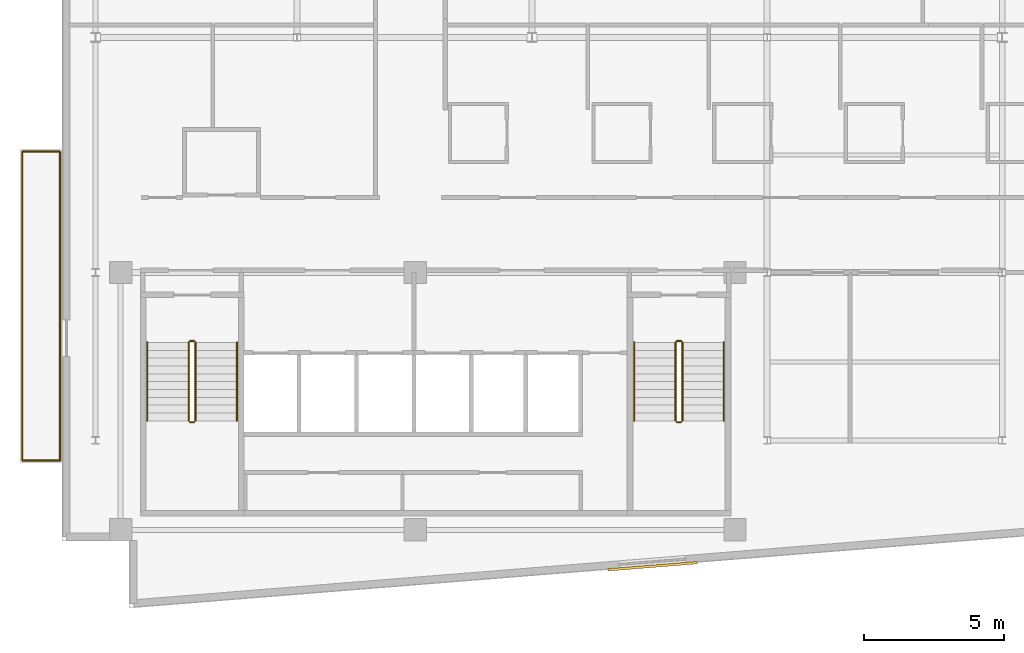
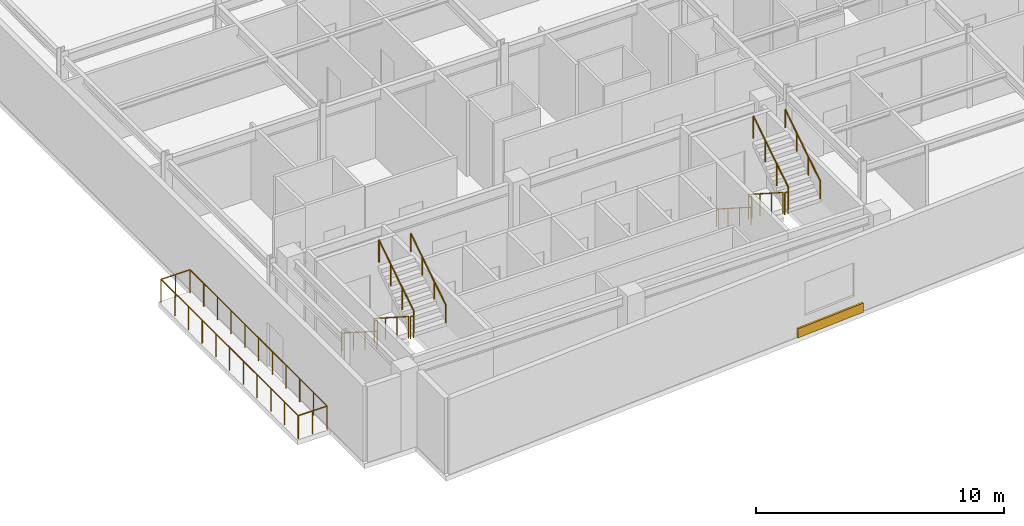
# One storey, part 14 of 16: 16 railings, 1 covering.
"""IFC4 building model written with IfcOpenShell, lengths in metres."""

from ifc_helpers import new_model, si_unit, direction, frame, origin, origin_2d, place, context, subcontext, project, spatial, rectangle, circle, extrude, material, layer, layer_set, type_object, element, save


model = new_model("IFC4")

# Units and contexts
model_context = context("Model", 3, precision=1e-05, world=origin(), true_north=direction((0.0, 1.0)))
body_context = subcontext(model_context, "Body", "Model", "MODEL_VIEW")
ifc_project = project(units=[si_unit("LENGTHUNIT", "METRE"), si_unit("AREAUNIT", "SQUARE_METRE"), si_unit("VOLUMEUNIT", "CUBIC_METRE"), si_unit("PLANEANGLEUNIT", "RADIAN"), si_unit("MASSUNIT", "GRAM", prefix="KILO")], contexts=[model_context])

# Site, building, storey
site_placement = place(None, origin())
site = spatial("IfcSite", under=ifc_project, at=site_placement, CompositionType="ELEMENT")
building_placement = place(site_placement, origin())
building = spatial("IfcBuilding", under=site, at=building_placement, Name="Varnakote Quay Hospital", CompositionType="ELEMENT")
storey_placement = place(building_placement, frame((0.0, 0.0, 260.5)))
storey = spatial("IfcBuildingStorey", under=building, at=storey_placement, Name="L64", CompositionType="ELEMENT", Elevation=260.5)

# Covering
ifc_material_1 = material(Name="Kiln-fired red brick architectural cladding", Category="masonry")
ifc_layer = layer(ifc_material_1, 0.090087890625)
ifc_layer_set = layer_set([ifc_layer], Name="Kiln-fired red brick architectural cladding")
covering_type = type_object("IfcCoveringType", Name="COV-BRICK-CLAD-90", PredefinedType="CLADDING", material=ifc_layer_set)
covering_placement = place(storey_placement, frame((21.11279296875, 1.5009765625, 0.0), z_axis=(0.0, 0.0, 1.0), x_axis=(0.996792860627, 0.080024952375, 0.0)))
element("IfcCovering", 1, at=covering_placement, inside=storey, type_object=covering_type, Name="L64 Kiln-Brick Precast Spandrel Cladding Band", PredefinedType="CLADDING", context=body_context, shape_type="SweptSolid", body=[
    extrude(rectangle(XDim=3.199951171875, YDim=0.090087890625, at=origin_2d()), origin(), (0.0, 0.0, 1.0), 0.449951171875),
])

# Railings
ifc_material_2 = material(Name="Anodised aluminium 6063-T6 Bronze", Category="aluminium")
railing_type_1 = type_object("IfcRailingType", Name="RLG-EXT-GUARD-1150", PredefinedType="GUARDRAIL", material=ifc_material_2)
railing_1_placement = place(storey_placement, frame((-0.075927734375, 5.280029296875, 0.0)))
element("IfcRailing", 2, at=railing_1_placement, inside=storey, type_object=railing_type_1, Name="L64 Zigzag Prow Healing Terrace Safety Guard", PredefinedType="GUARDRAIL", context=body_context, shape_type="SweptSolid", body=[
    extrude(circle(Radius=0.02392578125, at=origin_2d()), frame((0.0, 0.0, 1.1259765625), z_axis=(-1.0, 0.0, 0.0), x_axis=(0.0, -1.0, 0.0)), (0.0, 0.0, 1.0), 1.343994140625),
    extrude(circle(Radius=0.02099609375, at=origin_2d()), origin(), (0.0, 0.0, 1.0), 1.101806640625),
    extrude(circle(Radius=0.02099609375, at=origin_2d()), frame((-0.671875, 0.0, 0.0)), (0.0, 0.0, 1.0), 1.101806640625),
    extrude(circle(Radius=0.02099609375, at=origin_2d()), frame((-1.343994140625, 0.0, 0.0)), (0.0, 0.0, 1.0), 1.101806640625),
])
railing_2_placement = place(storey_placement, frame((-1.419921875, 5.280029296875, 0.0)))
element("IfcRailing", 3, at=railing_2_placement, inside=storey, type_object=railing_type_1, Name="L64 Zigzag Prow Healing Terrace Safety Guard", PredefinedType="GUARDRAIL", context=body_context, shape_type="SweptSolid", body=[
    extrude(circle(Radius=0.02392578125, at=origin_2d()), frame((0.0, 0.0, 1.1259765625), z_axis=(0.0, 1.0, 0.0), x_axis=(-1.0, 0.0, 0.0)), (0.0, 0.0, 1.0), 11.0400390625),
    extrude(circle(Radius=0.02099609375, at=origin_2d()), origin(), (0.0, 0.0, 1.0), 1.101806640625),
    extrude(circle(Radius=0.02099609375, at=origin_2d()), frame((0.0, 1.10400390625, 0.0)), (0.0, 0.0, 1.0), 1.101806640625),
    extrude(circle(Radius=0.02099609375, at=origin_2d()), frame((0.0, 2.2080078125, 0.0)), (0.0, 0.0, 1.0), 1.101806640625),
    extrude(circle(Radius=0.02099609375, at=origin_2d()), frame((0.0, 3.31201171875, 0.0)), (0.0, 0.0, 1.0), 1.101806640625),
    extrude(circle(Radius=0.02099609375, at=origin_2d()), frame((0.0, 4.416015625, 0.0)), (0.0, 0.0, 1.0), 1.101806640625),
    extrude(circle(Radius=0.02099609375, at=origin_2d()), frame((0.0, 5.52001953125, 0.0)), (0.0, 0.0, 1.0), 1.101806640625),
    extrude(circle(Radius=0.02099609375, at=origin_2d()), frame((0.0, 6.6240234375, 0.0)), (0.0, 0.0, 1.0), 1.101806640625),
    extrude(circle(Radius=0.02099609375, at=origin_2d()), frame((0.0, 7.72802734375, 0.0)), (0.0, 0.0, 1.0), 1.101806640625),
    extrude(circle(Radius=0.02099609375, at=origin_2d()), frame((0.0, 8.83203125, 0.0)), (0.0, 0.0, 1.0), 1.101806640625),
    extrude(circle(Radius=0.02099609375, at=origin_2d()), frame((0.0, 9.93603515625, 0.0)), (0.0, 0.0, 1.0), 1.101806640625),
    extrude(circle(Radius=0.02099609375, at=origin_2d()), frame((0.0, 11.0400390625, 0.0)), (0.0, 0.0, 1.0), 1.101806640625),
])
railing_3_placement = place(storey_placement, frame((-1.419921875, 16.320068359375, 0.0)))
element("IfcRailing", 4, at=railing_3_placement, inside=storey, type_object=railing_type_1, Name="L64 Zigzag Prow Healing Terrace Safety Guard", PredefinedType="GUARDRAIL", context=body_context, shape_type="SweptSolid", body=[
    extrude(circle(Radius=0.02392578125, at=origin_2d()), frame((0.0, 0.0, 1.1259765625), z_axis=(1.0, 0.0, 0.0), x_axis=(0.0, 1.0, 0.0)), (0.0, 0.0, 1.0), 1.343994140625),
    extrude(circle(Radius=0.02099609375, at=origin_2d()), origin(), (0.0, 0.0, 1.0), 1.101806640625),
    extrude(circle(Radius=0.02099609375, at=origin_2d()), frame((0.671875, 0.0, 0.0)), (0.0, 0.0, 1.0), 1.101806640625),
    extrude(circle(Radius=0.02099609375, at=origin_2d()), frame((1.343994140625, 0.0, 0.0)), (0.0, 0.0, 1.0), 1.101806640625),
])
railing_4_placement = place(storey_placement, frame((-0.075927734375, 16.320068359375, 0.0)))
element("IfcRailing", 5, at=railing_4_placement, inside=storey, type_object=railing_type_1, Name="L64 Zigzag Prow Healing Terrace Safety Guard", PredefinedType="GUARDRAIL", context=body_context, shape_type="SweptSolid", body=[
    extrude(circle(Radius=0.02392578125, at=origin_2d()), frame((0.0, 0.0, 1.1259765625), z_axis=(0.0, -1.0, 0.0), x_axis=(1.0, 0.0, 0.0)), (0.0, 0.0, 1.0), 11.0400390625),
    extrude(circle(Radius=0.02099609375, at=origin_2d()), origin(), (0.0, 0.0, 1.0), 1.101806640625),
    extrude(circle(Radius=0.02099609375, at=origin_2d()), frame((0.0, -1.10400390625, 0.0)), (0.0, 0.0, 1.0), 1.101806640625),
    extrude(circle(Radius=0.02099609375, at=origin_2d()), frame((0.0, -2.2080078125, 0.0)), (0.0, 0.0, 1.0), 1.101806640625),
    extrude(circle(Radius=0.02099609375, at=origin_2d()), frame((0.0, -3.31201171875, 0.0)), (0.0, 0.0, 1.0), 1.101806640625),
    extrude(circle(Radius=0.02099609375, at=origin_2d()), frame((0.0, -4.416015625, 0.0)), (0.0, 0.0, 1.0), 1.101806640625),
    extrude(circle(Radius=0.02099609375, at=origin_2d()), frame((0.0, -5.52001953125, 0.0)), (0.0, 0.0, 1.0), 1.101806640625),
    extrude(circle(Radius=0.02099609375, at=origin_2d()), frame((0.0, -6.6240234375, 0.0)), (0.0, 0.0, 1.0), 1.101806640625),
    extrude(circle(Radius=0.02099609375, at=origin_2d()), frame((0.0, -7.72802734375, 0.0)), (0.0, 0.0, 1.0), 1.101806640625),
    extrude(circle(Radius=0.02099609375, at=origin_2d()), frame((0.0, -8.83203125, 0.0)), (0.0, 0.0, 1.0), 1.101806640625),
    extrude(circle(Radius=0.02099609375, at=origin_2d()), frame((0.0, -9.93603515625, 0.0)), (0.0, 0.0, 1.0), 1.101806640625),
    extrude(circle(Radius=0.02099609375, at=origin_2d()), frame((0.0, -11.0400390625, 0.0)), (0.0, 0.0, 1.0), 1.101806640625),
])
ifc_material_3 = material(Name="Brushed stainless steel balustrade", Category="steel")
railing_type_2 = type_object("IfcRailingType", Name="RLG-STAIR-GUARD-1150", PredefinedType="GUARDRAIL", material=ifc_material_3)
railing_5_placement = place(storey_placement, frame((4.530029296875, 9.5, 0.179443359375)))
element("IfcRailing", 6, at=railing_5_placement, inside=storey, type_object=railing_type_2, Name="L64 ST-01 stair guard 1", PredefinedType="GUARDRAIL", context=body_context, shape_type="SweptSolid", body=[
    extrude(circle(Radius=0.02392578125, at=origin_2d()), frame((0.0, 0.0, 1.076171875), z_axis=(0.0, -0.841776520102, 0.539826166654), x_axis=(1.0, 0.0, 0.0)), (0.0, 0.0, 1.0), 3.326416015625),
    extrude(circle(Radius=0.02099609375, at=origin_2d()), origin(), (0.0, 0.0, 1.0), 1.052001953125),
    extrude(circle(Radius=0.02099609375, at=origin_2d()), frame((0.0, -0.933349609375, 0.5986328125)), (0.0, 0.0, 1.0), 1.052001953125),
    extrude(circle(Radius=0.02099609375, at=origin_2d()), frame((0.0, -1.86669921875, 1.197021484375)), (0.0, 0.0, 1.0), 1.052001953125),
    extrude(circle(Radius=0.02099609375, at=origin_2d()), frame((0.0, -2.800048828125, 1.795654296875)), (0.0, 0.0, 1.0), 1.052001953125),
])
railing_6_placement = place(storey_placement, frame((4.580078125, 6.64990234375, 1.97509765625)))
element("IfcRailing", 7, at=railing_6_placement, inside=storey, type_object=railing_type_2, Name="L64 ST-01 stair guard 2", PredefinedType="GUARDRAIL", context=body_context, shape_type="SweptSolid", body=[
    extrude(circle(Radius=0.02392578125, at=origin_2d()), frame((0.0, 0.0, 1.076171875), z_axis=(1.0, 0.0, 0.0), x_axis=(0.0, 1.0, 0.0)), (0.0, 0.0, 1.0), 0.139892578125),
    extrude(circle(Radius=0.02099609375, at=origin_2d()), origin(), (0.0, 0.0, 1.0), 1.052001953125),
    extrude(circle(Radius=0.02099609375, at=origin_2d()), frame((0.139892578125, 0.0, 0.0)), (0.0, 0.0, 1.0), 1.052001953125),
])
railing_7_placement = place(storey_placement, frame((4.77001953125, 6.699951171875, 2.154541015625)))
element("IfcRailing", 8, at=railing_7_placement, inside=storey, type_object=railing_type_2, Name="L64 ST-01 stair guard 3", PredefinedType="GUARDRAIL", context=body_context, shape_type="SweptSolid", body=[
    extrude(circle(Radius=0.02392578125, at=origin_2d()), frame((0.0, 0.0, 1.076171875), z_axis=(0.0, 0.841809871826, 0.539774156196), x_axis=(-1.0, 0.0, 0.0)), (0.0, 0.0, 1.0), 3.326171875),
    extrude(circle(Radius=0.02099609375, at=origin_2d()), origin(), (0.0, 0.0, 1.0), 1.052001953125),
    extrude(circle(Radius=0.02099609375, at=origin_2d()), frame((0.0, 0.933349609375, 0.598388671875)), (0.0, 0.0, 1.0), 1.052001953125),
    extrude(circle(Radius=0.02099609375, at=origin_2d()), frame((0.0, 1.86669921875, 1.197021484375)), (0.0, 0.0, 1.0), 1.052001953125),
    extrude(circle(Radius=0.02099609375, at=origin_2d()), frame((0.0, 2.800048828125, 1.79541015625)), (0.0, 0.0, 1.0), 1.052001953125),
])
railing_8_placement = place(storey_placement, frame((4.580078125, 9.550048828125, 0.0)))
element("IfcRailing", 9, at=railing_8_placement, inside=storey, type_object=railing_type_2, Name="L64 ST-01 stair guard 4", PredefinedType="GUARDRAIL", context=body_context, shape_type="SweptSolid", body=[
    extrude(circle(Radius=0.02392578125, at=origin_2d()), frame((0.0, 0.0, 1.076171875), z_axis=(1.0, 0.0, 0.0), x_axis=(0.0, 1.0, 0.0)), (0.0, 0.0, 1.0), 0.139892578125),
    extrude(circle(Radius=0.02099609375, at=origin_2d()), origin(), (0.0, 0.0, 1.0), 1.052001953125),
    extrude(circle(Radius=0.02099609375, at=origin_2d()), frame((0.139892578125, 0.0, 0.0)), (0.0, 0.0, 1.0), 1.052001953125),
])
railing_9_placement = place(storey_placement, frame((21.929931640625, 9.5, 0.179443359375)))
element("IfcRailing", 10, at=railing_9_placement, inside=storey, type_object=railing_type_2, Name="L64 ST-02 stair guard 1", PredefinedType="GUARDRAIL", context=body_context, shape_type="SweptSolid", body=[
    extrude(circle(Radius=0.02392578125, at=origin_2d()), frame((0.0, 0.0, 1.076171875), z_axis=(0.0, -0.841776520102, 0.539826166654), x_axis=(1.0, 0.0, 0.0)), (0.0, 0.0, 1.0), 3.326416015625),
    extrude(circle(Radius=0.02099609375, at=origin_2d()), origin(), (0.0, 0.0, 1.0), 1.052001953125),
    extrude(circle(Radius=0.02099609375, at=origin_2d()), frame((0.0, -0.933349609375, 0.5986328125)), (0.0, 0.0, 1.0), 1.052001953125),
    extrude(circle(Radius=0.02099609375, at=origin_2d()), frame((0.0, -1.86669921875, 1.197021484375)), (0.0, 0.0, 1.0), 1.052001953125),
    extrude(circle(Radius=0.02099609375, at=origin_2d()), frame((0.0, -2.800048828125, 1.795654296875)), (0.0, 0.0, 1.0), 1.052001953125),
])
railing_10_placement = place(storey_placement, frame((21.97998046875, 6.64990234375, 1.97509765625)))
element("IfcRailing", 11, at=railing_10_placement, inside=storey, type_object=railing_type_2, Name="L64 ST-02 stair guard 2", PredefinedType="GUARDRAIL", context=body_context, shape_type="SweptSolid", body=[
    extrude(circle(Radius=0.02392578125, at=origin_2d()), frame((0.0, 0.0, 1.076171875), z_axis=(1.0, 0.0, 0.0), x_axis=(0.0, 1.0, 0.0)), (0.0, 0.0, 1.0), 0.14013671875),
    extrude(circle(Radius=0.02099609375, at=origin_2d()), origin(), (0.0, 0.0, 1.0), 1.052001953125),
    extrude(circle(Radius=0.02099609375, at=origin_2d()), frame((0.14013671875, 0.0, 0.0)), (0.0, 0.0, 1.0), 1.052001953125),
])
railing_11_placement = place(storey_placement, frame((22.169921875, 6.699951171875, 2.154541015625)))
element("IfcRailing", 12, at=railing_11_placement, inside=storey, type_object=railing_type_2, Name="L64 ST-02 stair guard 3", PredefinedType="GUARDRAIL", context=body_context, shape_type="SweptSolid", body=[
    extrude(circle(Radius=0.02392578125, at=origin_2d()), frame((0.0, 0.0, 1.076171875), z_axis=(0.0, 0.841809871826, 0.539774156196), x_axis=(-1.0, 0.0, 0.0)), (0.0, 0.0, 1.0), 3.326171875),
    extrude(circle(Radius=0.02099609375, at=origin_2d()), origin(), (0.0, 0.0, 1.0), 1.052001953125),
    extrude(circle(Radius=0.02099609375, at=origin_2d()), frame((0.0, 0.933349609375, 0.598388671875)), (0.0, 0.0, 1.0), 1.052001953125),
    extrude(circle(Radius=0.02099609375, at=origin_2d()), frame((0.0, 1.86669921875, 1.197021484375)), (0.0, 0.0, 1.0), 1.052001953125),
    extrude(circle(Radius=0.02099609375, at=origin_2d()), frame((0.0, 2.800048828125, 1.79541015625)), (0.0, 0.0, 1.0), 1.052001953125),
])
railing_12_placement = place(storey_placement, frame((21.97998046875, 9.550048828125, 0.0)))
element("IfcRailing", 13, at=railing_12_placement, inside=storey, type_object=railing_type_2, Name="L64 ST-02 stair guard 4", PredefinedType="GUARDRAIL", context=body_context, shape_type="SweptSolid", body=[
    extrude(circle(Radius=0.02392578125, at=origin_2d()), frame((0.0, 0.0, 1.076171875), z_axis=(1.0, 0.0, 0.0), x_axis=(0.0, 1.0, 0.0)), (0.0, 0.0, 1.0), 0.14013671875),
    extrude(circle(Radius=0.02099609375, at=origin_2d()), origin(), (0.0, 0.0, 1.0), 1.052001953125),
    extrude(circle(Radius=0.02099609375, at=origin_2d()), frame((0.14013671875, 0.0, 0.0)), (0.0, 0.0, 1.0), 1.052001953125),
])
ifc_material_4 = material(Name="Brushed stainless steel handrail", Category="steel")
railing_type_3 = type_object("IfcRailingType", Name="RLG-STAIR-HND-920", PredefinedType="HANDRAIL", material=ifc_material_4)
railing_13_placement = place(storey_placement, frame((3.050048828125, 9.5, 0.179443359375)))
element("IfcRailing", 14, at=railing_13_placement, inside=storey, type_object=railing_type_3, Name="L64 ST-01 stair handrail 1", PredefinedType="HANDRAIL", context=body_context, shape_type="SweptSolid", body=[
    extrude(circle(Radius=0.02392578125, at=origin_2d()), frame((0.0, 0.0, 0.8759765625), z_axis=(0.0, -0.841776520102, 0.539826166654), x_axis=(1.0, 0.0, 0.0)), (0.0, 0.0, 1.0), 3.326416015625),
    extrude(circle(Radius=0.02099609375, at=origin_2d()), origin(), (0.0, 0.0, 1.0), 0.851806640625),
    extrude(circle(Radius=0.02099609375, at=origin_2d()), frame((0.0, -0.933349609375, 0.5986328125)), (0.0, 0.0, 1.0), 0.851806640625),
    extrude(circle(Radius=0.02099609375, at=origin_2d()), frame((0.0, -1.86669921875, 1.197021484375)), (0.0, 0.0, 1.0), 0.851806640625),
    extrude(circle(Radius=0.02099609375, at=origin_2d()), frame((0.0, -2.800048828125, 1.795654296875)), (0.0, 0.0, 1.0), 0.851806640625),
])
railing_14_placement = place(storey_placement, frame((6.25, 6.699951171875, 2.154541015625)))
element("IfcRailing", 15, at=railing_14_placement, inside=storey, type_object=railing_type_3, Name="L64 ST-01 stair handrail 2", PredefinedType="HANDRAIL", context=body_context, shape_type="SweptSolid", body=[
    extrude(circle(Radius=0.02392578125, at=origin_2d()), frame((0.0, 0.0, 0.8759765625), z_axis=(0.0, 0.841809871826, 0.539774156196), x_axis=(-1.0, 0.0, 0.0)), (0.0, 0.0, 1.0), 3.326171875),
    extrude(circle(Radius=0.02099609375, at=origin_2d()), origin(), (0.0, 0.0, 1.0), 0.851806640625),
    extrude(circle(Radius=0.02099609375, at=origin_2d()), frame((0.0, 0.933349609375, 0.598388671875)), (0.0, 0.0, 1.0), 0.851806640625),
    extrude(circle(Radius=0.02099609375, at=origin_2d()), frame((0.0, 1.86669921875, 1.197021484375)), (0.0, 0.0, 1.0), 0.851806640625),
    extrude(circle(Radius=0.02099609375, at=origin_2d()), frame((0.0, 2.800048828125, 1.79541015625)), (0.0, 0.0, 1.0), 0.851806640625),
])
railing_15_placement = place(storey_placement, frame((20.449951171875, 9.5, 0.179443359375)))
element("IfcRailing", 16, at=railing_15_placement, inside=storey, type_object=railing_type_3, Name="L64 ST-02 stair handrail 1", PredefinedType="HANDRAIL", context=body_context, shape_type="SweptSolid", body=[
    extrude(circle(Radius=0.02392578125, at=origin_2d()), frame((0.0, 0.0, 0.8759765625), z_axis=(0.0, -0.841776520102, 0.539826166654), x_axis=(1.0, 0.0, 0.0)), (0.0, 0.0, 1.0), 3.326416015625),
    extrude(circle(Radius=0.02099609375, at=origin_2d()), origin(), (0.0, 0.0, 1.0), 0.851806640625),
    extrude(circle(Radius=0.02099609375, at=origin_2d()), frame((0.0, -0.933349609375, 0.5986328125)), (0.0, 0.0, 1.0), 0.851806640625),
    extrude(circle(Radius=0.02099609375, at=origin_2d()), frame((0.0, -1.86669921875, 1.197021484375)), (0.0, 0.0, 1.0), 0.851806640625),
    extrude(circle(Radius=0.02099609375, at=origin_2d()), frame((0.0, -2.800048828125, 1.795654296875)), (0.0, 0.0, 1.0), 0.851806640625),
])
railing_16_placement = place(storey_placement, frame((23.64990234375, 6.699951171875, 2.154541015625)))
element("IfcRailing", 17, at=railing_16_placement, inside=storey, type_object=railing_type_3, Name="L64 ST-02 stair handrail 2", PredefinedType="HANDRAIL", context=body_context, shape_type="SweptSolid", body=[
    extrude(circle(Radius=0.02392578125, at=origin_2d()), frame((0.0, 0.0, 0.8759765625), z_axis=(0.0, 0.841809871826, 0.539774156196), x_axis=(-1.0, 0.0, 0.0)), (0.0, 0.0, 1.0), 3.326171875),
    extrude(circle(Radius=0.02099609375, at=origin_2d()), origin(), (0.0, 0.0, 1.0), 0.851806640625),
    extrude(circle(Radius=0.02099609375, at=origin_2d()), frame((0.0, 0.933349609375, 0.598388671875)), (0.0, 0.0, 1.0), 0.851806640625),
    extrude(circle(Radius=0.02099609375, at=origin_2d()), frame((0.0, 1.86669921875, 1.197021484375)), (0.0, 0.0, 1.0), 0.851806640625),
    extrude(circle(Radius=0.02099609375, at=origin_2d()), frame((0.0, 2.800048828125, 1.79541015625)), (0.0, 0.0, 1.0), 0.851806640625),
])

save(model, "model.ifc")
